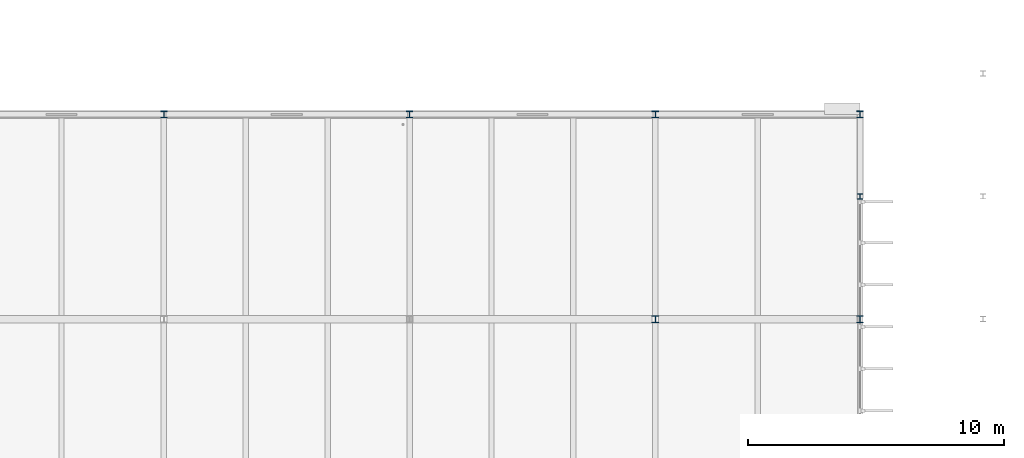
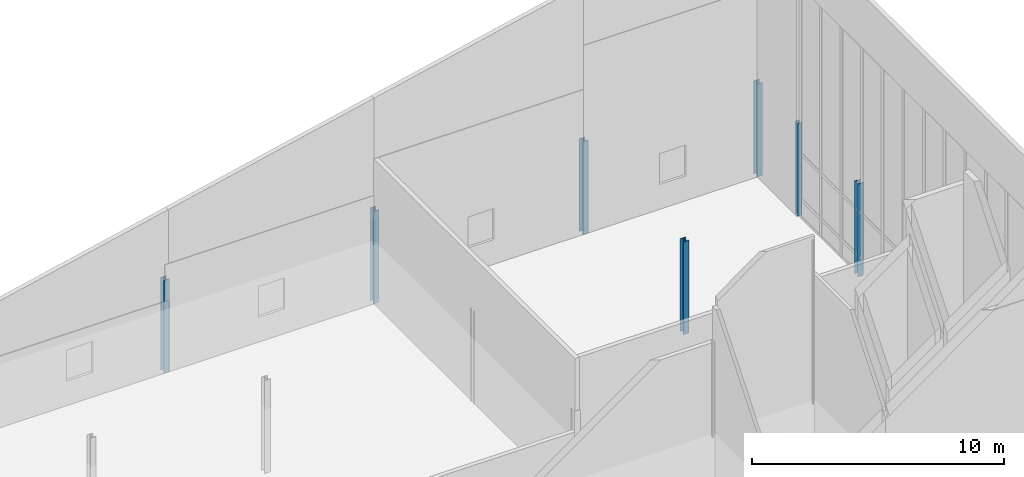
# One storey, part 7 of 59: 7 columns.
"""IFC4 building model written with IfcOpenShell, lengths in metres."""

from ifc_helpers import new_model, si_unit, direction, frame, origin, origin_2d, place, context, subcontext, project, spatial, i_section, extrude, material, material_profile, profile_set, type_object, element, save


model = new_model("IFC4")

# Units and contexts
model_context = context("Model", 3, precision=1e-05, world=origin(), true_north=direction((0.0, 1.0)))
body_context = subcontext(model_context, "Body", "Model", "MODEL_VIEW")
ifc_project = project(units=[si_unit("LENGTHUNIT", "METRE"), si_unit("AREAUNIT", "SQUARE_METRE"), si_unit("VOLUMEUNIT", "CUBIC_METRE"), si_unit("PLANEANGLEUNIT", "RADIAN"), si_unit("MASSUNIT", "GRAM", prefix="KILO")], contexts=[model_context])

# Site, building, storey
site_placement = place(None, origin())
site = spatial("IfcSite", under=ifc_project, at=site_placement, CompositionType="ELEMENT")
building_placement = place(site_placement, origin())
building = spatial("IfcBuilding", under=site, at=building_placement, Name="Dunescarp Central Library", CompositionType="ELEMENT")
storey_placement = place(building_placement, frame((0.0, 0.0, 18.60009765625)))
storey = spatial("IfcBuildingStorey", under=building, at=storey_placement, Name="L04", CompositionType="ELEMENT", Elevation=18.60009765625)

# Columns
ifc_material = material(Name="Steel S355JR", Category="steel")
ifc_material_profile_1 = material_profile(ifc_material, i_section(OverallWidth=0.206298828125, OverallDepth=0.2158203125, WebThickness=0.010009765625, FlangeThickness=0.017333984375, at=origin_2d()), Name="UC 203x203x71")
ifc_profile_set_1 = profile_set([ifc_material_profile_1], Name="Steel S355JR")
column_type_1 = type_object("IfcColumnType", Name="STR-COL-UC203X71", PredefinedType="COLUMN", material=ifc_profile_set_1)
column_placement = place(storey_placement, frame((124.800048828125, 25.60009765625, 0.0), z_axis=(0.0, 0.0, 1.0), x_axis=(1.0, 0.0, 0.0)))
element("IfcColumn", 1, at=column_placement, inside=storey, type_object=column_type_1, Name="L04 column V3L-1248-256", PredefinedType="COLUMN", context=body_context, shape_type="SweptSolid", body=[
    extrude(i_section(OverallWidth=0.206298828125, OverallDepth=0.2158203125, WebThickness=0.010009765625, FlangeThickness=0.017333984375, at=origin_2d()), origin(), (0.0, 0.0, 1.0), 4.5),
])
ifc_material_profile_2 = material_profile(ifc_material, i_section(OverallWidth=0.26123046875, OverallDepth=0.2763671875, WebThickness=0.015380859375, FlangeThickness=0.025390625, at=origin_2d()), Name="UC 254x254x132")
ifc_profile_set_2 = profile_set([ifc_material_profile_2], Name="Steel S355JR")
column_type_2 = type_object("IfcColumnType", Name="STR-COL-UC254X132", PredefinedType="COLUMN", material=ifc_profile_set_2)
for number, where, z_axis, x_axis, name in (
    (2, (97.60009765625, 28.800048828125, 0.0), (0.0, 0.0, 1.0), (1.0, 0.0, 0.0), "L04 column V3-976-288"),
    (3, (107.199951171875, 28.800048828125, 0.0), (0.0, 0.0, 1.0), (1.0, 0.0, 0.0), "L04 column V3-1072-288"),
    (4, (116.800048828125, 20.800048828125, 0.0), (0.0, 0.0, 1.0), (1.0, 0.0, 0.0), "L04 column V3-1168-208"),
    (5, (116.800048828125, 28.800048828125, 0.0), (0.0, 0.0, 1.0), (1.0, 0.0, 0.0), "L04 column V3-1168-288"),
    (6, (124.800048828125, 20.800048828125, 0.0), (0.0, 0.0, 1.0), (1.0, 0.0, 0.0), "L04 column V3-1248-208"),
    (7, (124.800048828125, 28.800048828125, 0.0), (0.0, 0.0, 1.0), (1.0, 0.0, 0.0), "L04 column V3-1248-288"),
):
    element("IfcColumn", number, at=place(storey_placement, frame(where, z_axis=z_axis, x_axis=x_axis)), inside=storey, type_object=column_type_2, Name=name, PredefinedType="COLUMN", context=body_context, shape_type="SweptSolid", body=[
        extrude(i_section(OverallWidth=0.26123046875, OverallDepth=0.2763671875, WebThickness=0.015380859375, FlangeThickness=0.025390625, at=origin_2d()), origin(), (0.0, 0.0, 1.0), 4.5),
    ])

save(model, "model.ifc")
